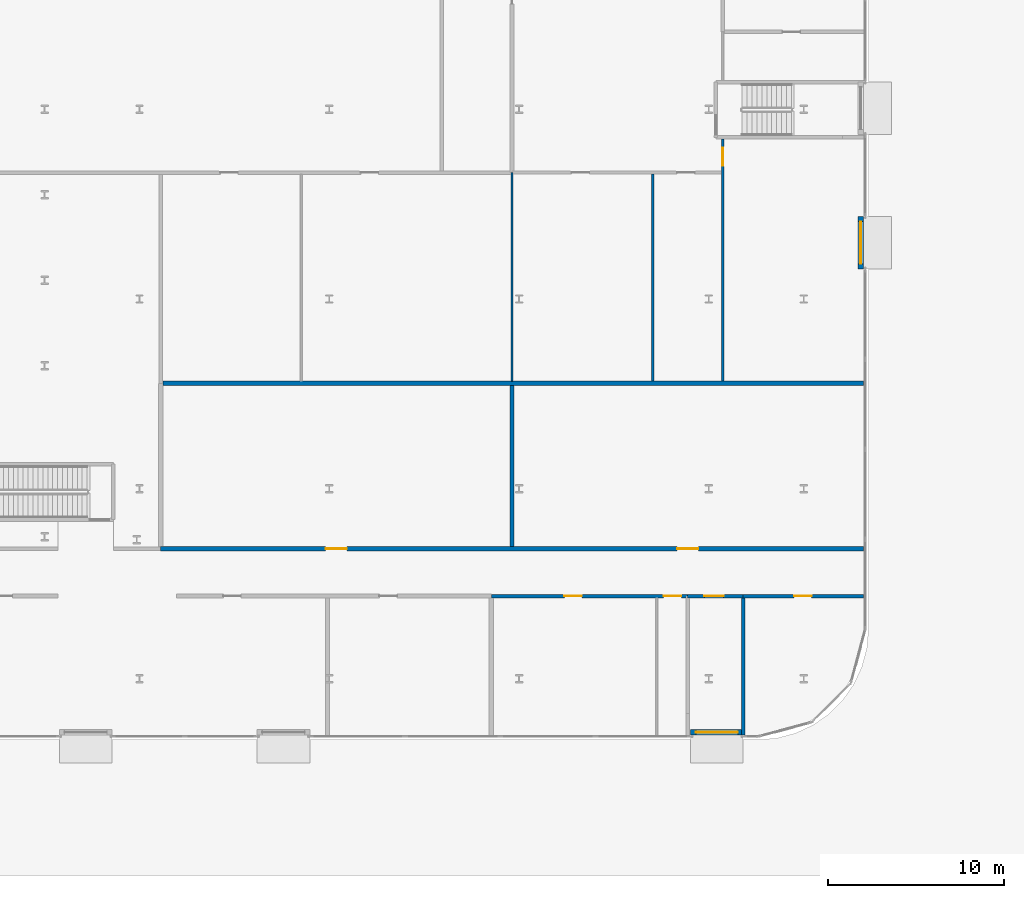
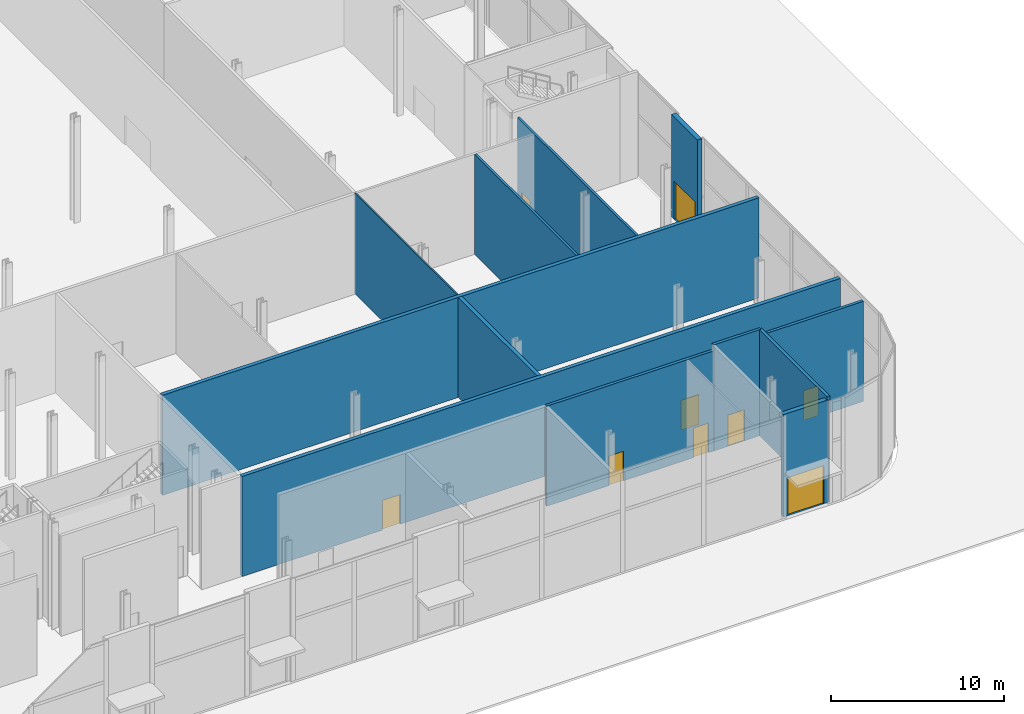
# One storey, part 27 of 46: 12 walls, 9 doors, 9 openings.
"""IFC4 building model written with IfcOpenShell, lengths in metres."""

from ifc_helpers import new_model, si_unit, direction, frame, frame_2d, origin, place, context, subcontext, project, spatial, rectangle, extrude, source, transform, mapped, material, layer, layer_set, type_object, element, fill, save


model = new_model("IFC4")

# Units and contexts
model_context = context("Model", 3, precision=1e-05, world=origin(), true_north=direction((0.0, 1.0)))
body_context = subcontext(model_context, "Body", "Model", "MODEL_VIEW")
ifc_project = project(units=[si_unit("LENGTHUNIT", "METRE"), si_unit("AREAUNIT", "SQUARE_METRE"), si_unit("VOLUMEUNIT", "CUBIC_METRE"), si_unit("PLANEANGLEUNIT", "RADIAN"), si_unit("MASSUNIT", "GRAM", prefix="KILO")], contexts=[model_context])

# Site, building, storey
site_placement = place(None, origin())
site = spatial("IfcSite", under=ifc_project, at=site_placement, CompositionType="ELEMENT")
building_placement = place(site_placement, origin())
building = spatial("IfcBuilding", under=site, at=building_placement, Name="Kheshtan School and Residences Tower", CompositionType="ELEMENT")
storey_placement = place(building_placement, origin())
storey = spatial("IfcBuildingStorey", under=building, at=storey_placement, Name="L00", CompositionType="ELEMENT", Elevation=0.0)

# Wall, openings, doors
ifc_material_1 = material(Name="Gypsum board on steel studs with fire boards", Category="steel")
ifc_layer_1 = layer(ifc_material_1, 0.199951171875)
ifc_layer_set_1 = layer_set([ifc_layer_1], Name="Corridor wall 200")
wall_type_1 = type_object("IfcWallType", Name="Corridor wall 200", PredefinedType="PARTITIONING", material=ifc_layer_set_1)
wall_1_placement = place(storey_placement, frame((110.823974609375, 17.89990234375, 0.0), z_axis=(0.0, 0.0, 1.0), x_axis=(1.0, 0.0, 0.0)))
wall_1 = element("IfcWall", 1, at=wall_1_placement, inside=storey, type_object=wall_type_1, Name="Partition L00-068", PredefinedType="PARTITIONING", context=body_context, shape_type="SweptSolid", body=[
    extrude(rectangle(XDim=11.176025390625, YDim=0.199951171875, at=frame_2d((5.587890625, 0.0))), origin(), (0.0, 0.0, 1.0), 7.080078125),
])
opening_1_placement = place(wall_1_placement, frame((4.14990234375, 0.0, 0.0)))
opening_1 = element("IfcOpeningElement", 2, at=opening_1_placement, cuts=wall_1, Name="Opening D00-039", PredefinedType="OPENING", context=body_context, shape_type="SweptSolid", body=[
    extrude(rectangle(XDim=1.0, YDim=2.10009765625, at=frame_2d((0.5, 1.050048828125))), frame((0.0, 0.10986328125, 0.0), z_axis=(0.0, -1.0, 0.0), x_axis=(1.0, 0.0, 0.0)), (0.0, 0.0, 1.0), 0.219970703125),
])
opening_2_placement = place(wall_1_placement, frame((9.81103515625, 0.0, 0.0)))
opening_2 = element("IfcOpeningElement", 3, at=opening_2_placement, cuts=wall_1, Name="Opening D00-040", PredefinedType="OPENING", context=body_context, shape_type="SweptSolid", body=[
    extrude(rectangle(XDim=1.0, YDim=2.10009765625, at=frame_2d((0.5, 1.050048828125))), frame((0.0, 0.10986328125, 0.0), z_axis=(0.0, -1.0, 0.0), x_axis=(1.0, 0.0, 0.0)), (0.0, 0.0, 1.0), 0.219970703125),
])
ifc_material_2 = material(Name="Steel-framed fire-resisting door leaf", Category="steel")
door_type_1 = type_object("IfcDoorType", Name="Fire door FD60 1000 x 2100", OperationType="SINGLE_SWING_LEFT", PredefinedType="DOOR", material=ifc_material_2)
shared_shape_1 = source(origin(), body_context, "Body", "SweptSolid", [
    extrude(rectangle(XDim=1.0, YDim=2.10009765625, at=frame_2d((0.5, 1.050048828125))), frame((0.0, 0.02490234375, 0.0), z_axis=(0.0, -1.0, 0.0), x_axis=(1.0, 0.0, 0.0)), (0.0, 0.0, 1.0), 0.050048828125),
])
door_1_placement = place(opening_1_placement, origin())
door_1 = element("IfcDoor", 4, at=door_1_placement, inside=storey, type_object=door_type_1, Name="Door D00-039", OperationType="SINGLE_SWING_LEFT", OverallHeight=2.10009765625, OverallWidth=1.0, PredefinedType="DOOR", context=body_context, shape_type="MappedRepresentation", body=[
    mapped(shared_shape_1, transform((0.0, 0.0, 0.0), x_axis=(1.0, 0.0, 0.0), y_axis=(0.0, 1.0, 0.0), z_axis=(0.0, 0.0, 1.0), scale=1.0)),
])
fill(opening_1, door_1)
door_2_placement = place(opening_2_placement, origin())
door_2 = element("IfcDoor", 5, at=door_2_placement, inside=storey, type_object=door_type_1, Name="Door D00-040", OperationType="SINGLE_SWING_LEFT", OverallHeight=2.10009765625, OverallWidth=1.0, PredefinedType="DOOR", context=body_context, shape_type="MappedRepresentation", body=[
    mapped(shared_shape_1, transform((0.0, 0.0, 0.0), x_axis=(1.0, 0.0, 0.0), y_axis=(0.0, 1.0, 0.0), z_axis=(0.0, 0.0, 1.0), scale=1.0)),
])
fill(opening_2, door_2)

# Wall, opening, door
wall_2_placement = place(storey_placement, frame((125.14990234375, 17.89990234375, 0.0), z_axis=(0.0, 0.0, 1.0), x_axis=(1.0, 0.0, 0.0)))
wall_2 = element("IfcWall", 6, at=wall_2_placement, inside=storey, type_object=wall_type_1, Name="Partition L00-083", PredefinedType="PARTITIONING", context=body_context, shape_type="SweptSolid", body=[
    extrude(rectangle(XDim=6.85009765625, YDim=0.199951171875, at=frame_2d((3.425048828125, 0.0))), origin(), (0.0, 0.0, 1.0), 7.080078125),
])
opening_3_placement = place(wall_2_placement, frame((2.89990234375, 0.0, 0.0)))
opening_3 = element("IfcOpeningElement", 7, at=opening_3_placement, cuts=wall_2, Name="Opening D00-041", PredefinedType="OPENING", context=body_context, shape_type="SweptSolid", body=[
    extrude(rectangle(XDim=1.0, YDim=2.10009765625, at=frame_2d((0.5, 1.050048828125))), frame((0.0, 0.10986328125, 0.0), z_axis=(0.0, -1.0, 0.0), x_axis=(1.0, 0.0, 0.0)), (0.0, 0.0, 1.0), 0.219970703125),
])
door_3_placement = place(opening_3_placement, origin())
door_3 = element("IfcDoor", 8, at=door_3_placement, inside=storey, type_object=door_type_1, Name="Door D00-041", OperationType="SINGLE_SWING_RIGHT", OverallHeight=2.10009765625, OverallWidth=1.0, PredefinedType="DOOR", context=body_context, shape_type="MappedRepresentation", body=[
    mapped(shared_shape_1, transform((0.0, 0.0, 0.0), x_axis=(1.0, 0.0, 0.0), y_axis=(0.0, 1.0, 0.0), z_axis=(0.0, 0.0, 1.0), scale=1.0)),
])
fill(opening_3, door_3)

# Wall
ifc_material_3 = material(Name="Gypsum board on steel studs", Category="steel")
ifc_layer_2 = layer(ifc_material_3, 0.10009765625)
ifc_layer_set_2 = layer_set([ifc_layer_2], Name="Gypsum partition 100")
wall_type_2 = type_object("IfcWallType", Name="Gypsum partition 100", PredefinedType="PARTITIONING", material=ifc_layer_set_2)
wall_3_placement = place(storey_placement, frame((112.0, 30.125, 0.0), z_axis=(0.0, 0.0, 1.0), x_axis=(0.0, 1.0, 0.0)))
element("IfcWall", 9, at=wall_3_placement, inside=storey, type_object=wall_type_2, Name="Partition L00-070", PredefinedType="PARTITIONING", context=body_context, shape_type="SweptSolid", body=[
    extrude(rectangle(XDim=11.875, YDim=0.10009765625, at=frame_2d((5.9375, 0.0))), origin(), (0.0, 0.0, 1.0), 7.080078125),
])

# Wall, openings, doors
ifc_material_4 = material(Name="Fire-board and steel stud wall with mineral wool", Category="steel")
ifc_layer_3 = layer(ifc_material_4, 0.25)
ifc_layer_set_3 = layer_set([ifc_layer_3], Name="Plant room wall 250")
wall_type_3 = type_object("IfcWallType", Name="Plant room wall 250", PredefinedType="PARTITIONING", material=ifc_layer_set_3)
wall_4_placement = place(storey_placement, frame((92.0, 20.60009765625, 0.0), z_axis=(0.0, 0.0, 1.0), x_axis=(1.0, 0.0, 0.0)))
wall_4 = element("IfcWall", 10, at=wall_4_placement, inside=storey, type_object=wall_type_3, Name="Partition L00-050", PredefinedType="PARTITIONING", context=body_context, shape_type="SweptSolid", body=[
    extrude(rectangle(XDim=40.0, YDim=0.25, at=frame_2d((20.0, 0.0))), origin(), (0.0, 0.0, 1.0), 7.080078125),
])
opening_4_placement = place(wall_4_placement, frame((9.39990234375, 0.0, 0.0)))
opening_4 = element("IfcOpeningElement", 11, at=opening_4_placement, cuts=wall_4, Name="Opening D00-043", PredefinedType="OPENING", context=body_context, shape_type="SweptSolid", body=[
    extrude(rectangle(XDim=1.199951171875, YDim=2.10009765625, at=frame_2d((0.60009765625, 1.050048828125))), frame((0.0, 0.135009765625, 0.0), z_axis=(0.0, -1.0, 0.0), x_axis=(1.0, 0.0, 0.0)), (0.0, 0.0, 1.0), 0.27001953125),
])
opening_5_placement = place(wall_4_placement, frame((29.39990234375, 0.0, 0.0)))
opening_5 = element("IfcOpeningElement", 12, at=opening_5_placement, cuts=wall_4, Name="Opening D00-044", PredefinedType="OPENING", context=body_context, shape_type="SweptSolid", body=[
    extrude(rectangle(XDim=1.199951171875, YDim=2.10009765625, at=frame_2d((0.60009765625, 1.050048828125))), frame((0.0, 0.135009765625, 0.0), z_axis=(0.0, -1.0, 0.0), x_axis=(1.0, 0.0, 0.0)), (0.0, 0.0, 1.0), 0.27001953125),
])
door_type_2 = type_object("IfcDoorType", Name="Fire door FD120 1200 x 2100", OperationType="SINGLE_SWING_LEFT", PredefinedType="DOOR", material=ifc_material_2)
shared_shape_2 = source(origin(), body_context, "Body", "SweptSolid", [
    extrude(rectangle(XDim=1.199951171875, YDim=2.10009765625, at=frame_2d((0.60009765625, 1.050048828125))), frame((0.0, 0.02490234375, 0.0), z_axis=(0.0, -1.0, 0.0), x_axis=(1.0, 0.0, 0.0)), (0.0, 0.0, 1.0), 0.050048828125),
])
door_4_placement = place(opening_4_placement, origin())
door_4 = element("IfcDoor", 13, at=door_4_placement, inside=storey, type_object=door_type_2, Name="Door D00-043", OperationType="SINGLE_SWING_RIGHT", OverallHeight=2.10009765625, OverallWidth=1.199951171875, PredefinedType="DOOR", context=body_context, shape_type="MappedRepresentation", body=[
    mapped(shared_shape_2, transform((0.0, 0.0, 0.0), x_axis=(1.0, 0.0, 0.0), y_axis=(0.0, 1.0, 0.0), z_axis=(0.0, 0.0, 1.0), scale=1.0)),
])
fill(opening_4, door_4)
door_5_placement = place(opening_5_placement, origin())
door_5 = element("IfcDoor", 14, at=door_5_placement, inside=storey, type_object=door_type_2, Name="Door D00-044", OperationType="SINGLE_SWING_RIGHT", OverallHeight=2.10009765625, OverallWidth=1.199951171875, PredefinedType="DOOR", context=body_context, shape_type="MappedRepresentation", body=[
    mapped(shared_shape_2, transform((0.0, 0.0, 0.0), x_axis=(1.0, 0.0, 0.0), y_axis=(0.0, 1.0, 0.0), z_axis=(0.0, 0.0, 1.0), scale=1.0)),
])
fill(opening_5, door_5)

# Walls
wall_5_placement = place(storey_placement, frame((92.125, 30.0, 0.0), z_axis=(0.0, 0.0, 1.0), x_axis=(1.0, 0.0, 0.0)))
element("IfcWall", 15, at=wall_5_placement, inside=storey, type_object=wall_type_3, Name="Partition L00-053", PredefinedType="PARTITIONING", context=body_context, shape_type="SweptSolid", body=[
    extrude(rectangle(XDim=39.875, YDim=0.25, at=frame_2d((19.9375, 0.0))), origin(), (0.0, 0.0, 1.0), 7.080078125),
])
wall_6_placement = place(storey_placement, frame((112.0, 20.72509765625, 0.0), z_axis=(0.0, 0.0, 1.0), x_axis=(0.0, 1.0, 0.0)))
element("IfcWall", 16, at=wall_6_placement, inside=storey, type_object=wall_type_3, Name="Partition L00-069", PredefinedType="PARTITIONING", context=body_context, shape_type="SweptSolid", body=[
    extrude(rectangle(XDim=9.14990234375, YDim=0.25, at=frame_2d((4.574951171875, 0.0))), origin(), (0.0, 0.0, 1.0), 7.080078125),
])

# Wall, opening, door
ifc_material_5 = material(Name="Concrete C40/50 with ceramic cladding and mineral wool insulation", Category="concrete")
ifc_layer_4 = layer(ifc_material_5, 0.300048828125)
ifc_layer_set_4 = layer_set([ifc_layer_4], Name="Podium external wall 300")
wall_type_4 = type_object("IfcWallType", Name="Podium external wall 300", PredefinedType="SOLIDWALL", material=ifc_layer_set_4)
wall_7_placement = place(storey_placement, frame((131.85009765625, 39.5, 0.0), z_axis=(0.0, 0.0, 1.0), x_axis=(0.0, -1.0, 0.0)))
wall_7 = element("IfcWall", 17, at=wall_7_placement, inside=storey, type_object=wall_type_4, Name="Podium external wall L00 8.7", PredefinedType="SOLIDWALL", context=body_context, shape_type="SweptSolid", body=[
    extrude(rectangle(XDim=3.0, YDim=0.300048828125, at=frame_2d((1.5, 0.0))), origin(), (0.0, 0.0, 1.0), 7.25),
])
opening_6_placement = place(wall_7_placement, frame((0.300048828125, 0.0, 0.0)))
opening_6 = element("IfcOpeningElement", 18, at=opening_6_placement, cuts=wall_7, Name="Opening ED", PredefinedType="OPENING", context=body_context, shape_type="SweptSolid", body=[
    extrude(rectangle(XDim=2.39990234375, YDim=2.699951171875, at=frame_2d((1.199951171875, 1.35009765625))), frame((0.0, 0.16015625, 0.0), z_axis=(0.0, -1.0, 0.0), x_axis=(1.0, 0.0, 0.0)), (0.0, 0.0, 1.0), 0.320068359375),
])
ifc_material_6 = material(Name="Clear low-e glass in thermally broken aluminium frame", Category="aluminium")
door_type_3 = type_object("IfcDoorType", Name="Entrance double door", OperationType="DOUBLE_DOOR_SINGLE_SWING", PredefinedType="DOOR", material=ifc_material_6)
shared_shape_3 = source(origin(), body_context, "Body", "SweptSolid", [
    extrude(rectangle(XDim=2.39990234375, YDim=2.699951171875, at=frame_2d((1.199951171875, 1.35009765625))), frame((0.0, 0.02490234375, 0.0), z_axis=(0.0, -1.0, 0.0), x_axis=(1.0, 0.0, 0.0)), (0.0, 0.0, 1.0), 0.050048828125),
])
door_6_placement = place(opening_6_placement, origin())
door_6 = element("IfcDoor", 19, at=door_6_placement, inside=storey, type_object=door_type_3, Name="Entrance door 8.7", OperationType="DOUBLE_DOOR_SINGLE_SWING", OverallHeight=2.699951171875, OverallWidth=2.39990234375, PredefinedType="DOOR", context=body_context, shape_type="MappedRepresentation", body=[
    mapped(shared_shape_3, transform((0.0, 0.0, 0.0), x_axis=(1.0, 0.0, 0.0), y_axis=(0.0, 1.0, 0.0), z_axis=(0.0, 0.0, 1.0), scale=1.0)),
])
fill(opening_6, door_6)

wall_8_placement = place(storey_placement, frame((125.159912109375, 10.14990234375, 0.0), z_axis=(0.0, 0.0, 1.0), x_axis=(-1.0, 0.0, 0.0)))
wall_8 = element("IfcWall", 20, at=wall_8_placement, inside=storey, type_object=wall_type_4, Name="Podium external wall L00 12.1", PredefinedType="SOLIDWALL", context=body_context, shape_type="SweptSolid", body=[
    extrude(rectangle(XDim=3.0, YDim=0.300048828125, at=frame_2d((1.5, 0.0))), origin(), (0.0, 0.0, 1.0), 7.25),
])
opening_7_placement = place(wall_8_placement, frame((0.300048828125, 0.0, 0.0)))
opening_7 = element("IfcOpeningElement", 21, at=opening_7_placement, cuts=wall_8, Name="Opening ED", PredefinedType="OPENING", context=body_context, shape_type="SweptSolid", body=[
    extrude(rectangle(XDim=2.39990234375, YDim=2.699951171875, at=frame_2d((1.199951171875, 1.35009765625))), frame((0.0, 0.16015625, 0.0), z_axis=(0.0, -1.0, 0.0), x_axis=(1.0, 0.0, 0.0)), (0.0, 0.0, 1.0), 0.320068359375),
])
door_7_placement = place(opening_7_placement, origin())
door_7 = element("IfcDoor", 22, at=door_7_placement, inside=storey, type_object=door_type_3, Name="Entrance door 12.1", OperationType="DOUBLE_DOOR_SINGLE_SWING", OverallHeight=2.699951171875, OverallWidth=2.39990234375, PredefinedType="DOOR", context=body_context, shape_type="MappedRepresentation", body=[
    mapped(shared_shape_3, transform((0.0, 0.0, 0.0), x_axis=(1.0, 0.0, 0.0), y_axis=(0.0, 1.0, 0.0), z_axis=(0.0, 0.0, 1.0), scale=1.0)),
])
fill(opening_7, door_7)

ifc_material_7 = material(Name="Concrete C40/50", Category="concrete")
ifc_layer_5 = layer(ifc_material_7, 0.199951171875)
ifc_layer_set_5 = layer_set([ifc_layer_5], Name="Stair enclosure wall 200 Concrete C40/50")
wall_type_5 = type_object("IfcWallType", Name="Stair enclosure wall 200 Concrete C40/50", PredefinedType="SHEAR", material=ifc_layer_set_5)
wall_9_placement = place(storey_placement, frame((122.0, 17.89990234375, 0.0), z_axis=(0.0, 0.0, 1.0), x_axis=(1.0, 0.0, 0.0)))
wall_9 = element("IfcWall", 23, at=wall_9_placement, inside=storey, type_object=wall_type_5, Name="Stair enclosure wall", PredefinedType="SHEAR", context=body_context, shape_type="SweptSolid", body=[
    extrude(rectangle(XDim=3.14990234375, YDim=0.199951171875, at=frame_2d((1.574951171875, 0.0))), origin(), (0.0, 0.0, 1.0), 7.5),
])
opening_8_placement = place(wall_9_placement, frame((0.949951171875, 0.0, 0.0)))
opening_8 = element("IfcOpeningElement", 24, at=opening_8_placement, cuts=wall_9, Name="Opening SD90", PredefinedType="OPENING", context=body_context, shape_type="SweptSolid", body=[
    extrude(rectangle(XDim=1.10009765625, YDim=2.199951171875, at=frame_2d((0.550048828125, 1.10009765625))), frame((0.0, 0.10986328125, 0.0), z_axis=(0.0, -1.0, 0.0), x_axis=(1.0, 0.0, 0.0)), (0.0, 0.0, 1.0), 0.219970703125),
])
ifc_material_8 = material(Name="Steel door leaf, galvanised", Category="steel")
door_type_4 = type_object("IfcDoorType", Name="Stair door 1100 steel 90 min", OperationType="SINGLE_SWING_LEFT", PredefinedType="DOOR", material=ifc_material_8)
shared_shape_4 = source(origin(), body_context, "Body", "SweptSolid", [
    extrude(rectangle(XDim=1.10009765625, YDim=2.199951171875, at=frame_2d((0.550048828125, 1.10009765625))), frame((0.0, 0.02490234375, 0.0), z_axis=(0.0, -1.0, 0.0), x_axis=(1.0, 0.0, 0.0)), (0.0, 0.0, 1.0), 0.050048828125),
])
door_8_placement = place(opening_8_placement, origin())
door_8 = element("IfcDoor", 25, at=door_8_placement, inside=storey, type_object=door_type_4, Name="Stair door", OperationType="SINGLE_SWING_RIGHT", OverallHeight=2.199951171875, OverallWidth=1.10009765625, PredefinedType="DOOR", context=body_context, shape_type="MappedRepresentation", body=[
    mapped(shared_shape_4, transform((0.0, 0.0, 0.0), x_axis=(1.0, 0.0, 0.0), y_axis=(0.0, 1.0, 0.0), z_axis=(0.0, 0.0, 1.0), scale=1.0)),
])
fill(opening_8, door_8)

# Walls
wall_10_placement = place(storey_placement, frame((125.14990234375, 10.0, 0.0), z_axis=(0.0, 0.0, 1.0), x_axis=(0.0, 1.0, 0.0)))
element("IfcWall", 26, at=wall_10_placement, inside=storey, type_object=wall_type_5, Name="Stair enclosure wall", PredefinedType="SHEAR", context=body_context, shape_type="SweptSolid", body=[
    extrude(rectangle(XDim=7.89990234375, YDim=0.199951171875, at=frame_2d((3.949951171875, 0.0))), origin(), (0.0, 0.0, 1.0), 7.5),
])
ifc_material_9 = material(Name="Moisture-resistant gypsum board on steel studs", Category="steel")
ifc_layer_6 = layer(ifc_material_9, 0.14990234375)
ifc_layer_set_6 = layer_set([ifc_layer_6], Name="Wet-room partition 150")
wall_type_6 = type_object("IfcWallType", Name="Wet-room partition 150", PredefinedType="PARTITIONING", material=ifc_layer_set_6)
wall_11_placement = place(storey_placement, frame((120.0, 30.125, 0.0), z_axis=(0.0, 0.0, 1.0), x_axis=(0.0, 1.0, 0.0)))
element("IfcWall", 27, at=wall_11_placement, inside=storey, type_object=wall_type_6, Name="Partition L00-076", PredefinedType="PARTITIONING", context=body_context, shape_type="SweptSolid", body=[
    extrude(rectangle(XDim=11.800048828125, YDim=0.14990234375, at=frame_2d((5.89990234375, 0.0))), origin(), (0.0, 0.0, 1.0), 7.080078125),
])

# Wall, opening, door
wall_12_placement = place(storey_placement, frame((124.0, 30.125, 0.0), z_axis=(0.0, 0.0, 1.0), x_axis=(0.0, 1.0, 0.0)))
wall_12 = element("IfcWall", 28, at=wall_12_placement, inside=storey, type_object=wall_type_6, Name="Partition L00-078", PredefinedType="PARTITIONING", context=body_context, shape_type="SweptSolid", body=[
    extrude(rectangle(XDim=13.77587890625, YDim=0.14990234375, at=frame_2d((6.887939453125, 0.0))), origin(), (0.0, 0.0, 1.0), 7.080078125),
])
opening_9_placement = place(wall_12_placement, frame((12.27490234375, 0.0, 0.0)))
opening_9 = element("IfcOpeningElement", 29, at=opening_9_placement, cuts=wall_12, Name="Opening D00-047", PredefinedType="OPENING", context=body_context, shape_type="SweptSolid", body=[
    extrude(rectangle(XDim=1.0, YDim=2.10009765625, at=frame_2d((0.5, 1.050048828125))), frame((0.0, 0.0849609375, 0.0), z_axis=(0.0, -1.0, 0.0), x_axis=(1.0, 0.0, 0.0)), (0.0, 0.0, 1.0), 0.169921875),
])
ifc_material_10 = material(Name="Veneered timber door leaf", Category="wood")
door_type_5 = type_object("IfcDoorType", Name="Door 1000 x 2100", OperationType="SINGLE_SWING_LEFT", PredefinedType="DOOR", material=ifc_material_10)
shared_shape_5 = source(origin(), body_context, "Body", "SweptSolid", [
    extrude(rectangle(XDim=1.0, YDim=2.10009765625, at=frame_2d((0.5, 1.050048828125))), frame((0.0, 0.02490234375, 0.0), z_axis=(0.0, -1.0, 0.0), x_axis=(1.0, 0.0, 0.0)), (0.0, 0.0, 1.0), 0.050048828125),
])
door_9_placement = place(opening_9_placement, origin())
door_9 = element("IfcDoor", 30, at=door_9_placement, inside=storey, type_object=door_type_5, Name="Door D00-047", OperationType="SINGLE_SWING_LEFT", OverallHeight=2.10009765625, OverallWidth=1.0, PredefinedType="DOOR", context=body_context, shape_type="MappedRepresentation", body=[
    mapped(shared_shape_5, transform((0.0, 0.0, 0.0), x_axis=(1.0, 0.0, 0.0), y_axis=(0.0, 1.0, 0.0), z_axis=(0.0, 0.0, 1.0), scale=1.0)),
])
fill(opening_9, door_9)

save(model, "model.ifc")
